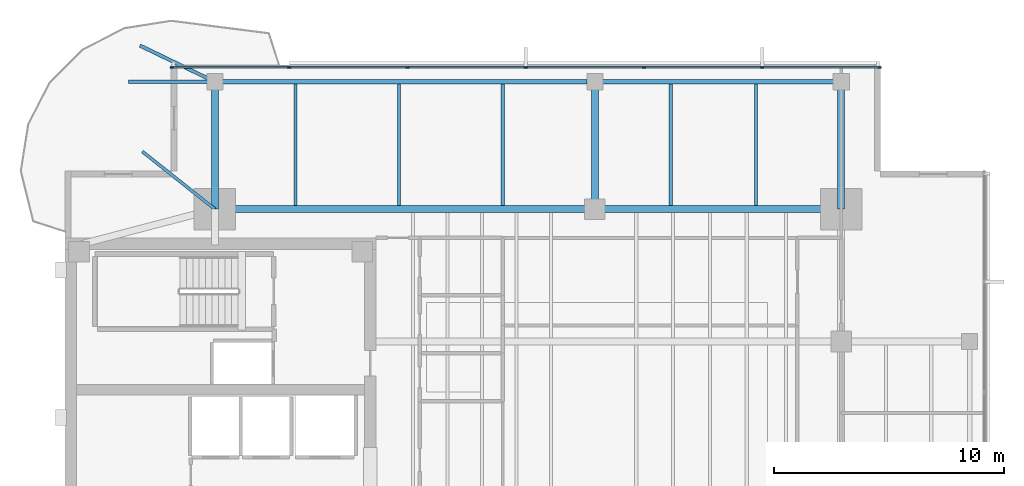
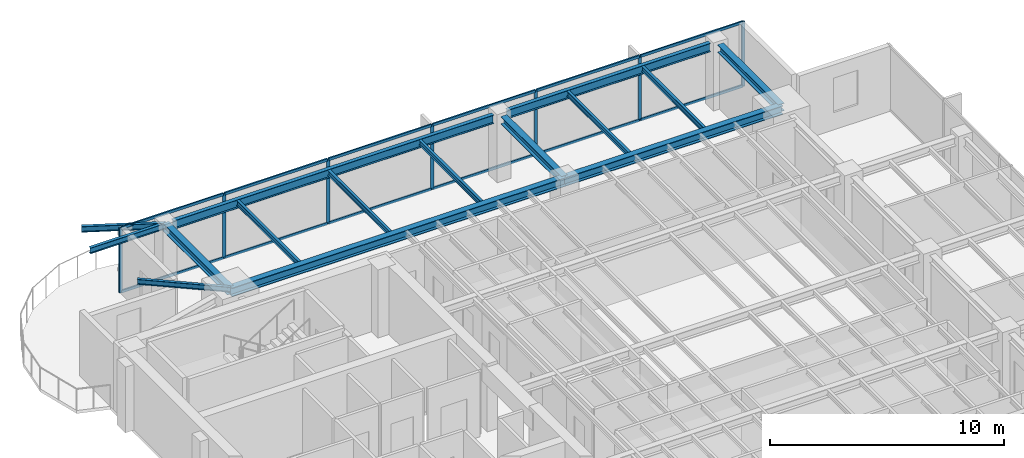
# One storey, part 5 of 14: 19 members, 15 beams, 1 element without a shape of its own.
"""IFC4 building model written with IfcOpenShell, lengths in metres."""

from ifc_helpers import new_model, si_unit, direction, frame, origin, origin_2d, place, context, subcontext, project, spatial, rectangle, i_section, extrude, material, layer, layer_set, material_profile, profile_set, type_object, element, aggregate, save


model = new_model("IFC4")

# Units and contexts
model_context = context("Model", 3, precision=1e-05, world=origin(), true_north=direction((0.0, 1.0)))
body_context = subcontext(model_context, "Body", "Model", "MODEL_VIEW")
ifc_project = project(units=[si_unit("LENGTHUNIT", "METRE"), si_unit("AREAUNIT", "SQUARE_METRE"), si_unit("VOLUMEUNIT", "CUBIC_METRE"), si_unit("PLANEANGLEUNIT", "RADIAN"), si_unit("MASSUNIT", "GRAM", prefix="KILO")], contexts=[model_context])

# Site, building, storey
site_placement = place(None, origin())
site = spatial("IfcSite", under=ifc_project, at=site_placement, CompositionType="ELEMENT")
building_placement = place(site_placement, origin())
building = spatial("IfcBuilding", under=site, at=building_placement, Name="Kinhvarn Gate Tower", CompositionType="ELEMENT")
storey_placement = place(building_placement, frame((0.0, 0.0, 277.64990234375)))
storey = spatial("IfcBuildingStorey", under=building, at=storey_placement, Name="L74", CompositionType="ELEMENT", Elevation=277.64990234375)

# Curtain wall, members
ifc_material_1 = material(Name="Anodised aluminium AW-6063", Category="aluminium")
ifc_layer = layer(ifc_material_1, 0.179931640625)
ifc_layer_set = layer_set([ifc_layer], Name="Anodised aluminium AW-6063")
curtain_wall_type = type_object("IfcCurtainWallType", Name="CW-SYS-3", PredefinedType="NOTDEFINED", material=ifc_layer_set)
curtain_wall_placement = place(storey_placement, origin())
curtain_wall = element("IfcCurtainWall", 1, at=curtain_wall_placement, inside=storey, type_object=curtain_wall_type, Name="Curtain Wall CW3 (L74)", PredefinedType="NOTDEFINED")
ifc_material_profile_1 = material_profile(ifc_material_1, rectangle(XDim=0.06494140625, YDim=0.159912109375, at=origin_2d()), Name="ALU 65x160")
ifc_profile_set_1 = profile_set([ifc_material_profile_1], Name="Anodised aluminium AW-6063")
member_type_1 = type_object("IfcMemberType", Name="CW-MUL-160", PredefinedType="MULLION", material=ifc_profile_set_1)
member_1_placement = place(storey_placement, frame((39.867431640625, 43.909912109375, 0.0), z_axis=(0.0, 0.0, 1.0), x_axis=(0.0, -1.0, 0.0)))
member_1 = element("IfcMember", 2, at=member_1_placement, type_object=member_type_1, Name="CW3 mullion 1", PredefinedType="MULLION", context=body_context, shape_type="SweptSolid", body=[
    extrude(rectangle(XDim=0.06494140625, YDim=0.159912109375, at=origin_2d()), origin(), (0.0, 0.0, 1.0), 3.39013671875),
])
member_2_placement = place(storey_placement, frame((34.7666015625, 43.909912109375, 0.0), z_axis=(0.0, 0.0, 1.0), x_axis=(0.0, -1.0, 0.0)))
member_2 = element("IfcMember", 3, at=member_2_placement, type_object=member_type_1, Name="CW3 mullion 2", PredefinedType="MULLION", context=body_context, shape_type="SweptSolid", body=[
    extrude(rectangle(XDim=0.06494140625, YDim=0.159912109375, at=origin_2d()), origin(), (0.0, 0.0, 1.0), 3.39013671875),
])
member_3_placement = place(storey_placement, frame((29.63330078125, 43.909912109375, 0.0), z_axis=(0.0, 0.0, 1.0), x_axis=(0.0, -1.0, 0.0)))
member_3 = element("IfcMember", 4, at=member_3_placement, type_object=member_type_1, Name="CW3 mullion 3", PredefinedType="MULLION", context=body_context, shape_type="SweptSolid", body=[
    extrude(rectangle(XDim=0.06494140625, YDim=0.159912109375, at=origin_2d()), origin(), (0.0, 0.0, 1.0), 3.39013671875),
])
member_4_placement = place(storey_placement, frame((24.5, 43.909912109375, 0.0), z_axis=(0.0, 0.0, 1.0), x_axis=(0.0, -1.0, 0.0)))
member_4 = element("IfcMember", 5, at=member_4_placement, type_object=member_type_1, Name="CW3 mullion 4", PredefinedType="MULLION", context=body_context, shape_type="SweptSolid", body=[
    extrude(rectangle(XDim=0.06494140625, YDim=0.159912109375, at=origin_2d()), origin(), (0.0, 0.0, 1.0), 3.39013671875),
])
member_5_placement = place(storey_placement, frame((19.36669921875, 43.909912109375, 0.0), z_axis=(0.0, 0.0, 1.0), x_axis=(0.0, -1.0, 0.0)))
member_5 = element("IfcMember", 6, at=member_5_placement, type_object=member_type_1, Name="CW3 mullion 5", PredefinedType="MULLION", context=body_context, shape_type="SweptSolid", body=[
    extrude(rectangle(XDim=0.06494140625, YDim=0.159912109375, at=origin_2d()), origin(), (0.0, 0.0, 1.0), 3.39013671875),
])
member_6_placement = place(storey_placement, frame((14.2333984375, 43.909912109375, 0.0), z_axis=(0.0, 0.0, 1.0), x_axis=(0.0, -1.0, 0.0)))
member_6 = element("IfcMember", 7, at=member_6_placement, type_object=member_type_1, Name="CW3 mullion 6", PredefinedType="MULLION", context=body_context, shape_type="SweptSolid", body=[
    extrude(rectangle(XDim=0.06494140625, YDim=0.159912109375, at=origin_2d()), origin(), (0.0, 0.0, 1.0), 3.39013671875),
])
member_7_placement = place(storey_placement, frame((9.132568359375, 43.909912109375, 0.0), z_axis=(0.0, 0.0, 1.0), x_axis=(0.0, -1.0, 0.0)))
member_7 = element("IfcMember", 8, at=member_7_placement, type_object=member_type_1, Name="CW3 mullion 7", PredefinedType="MULLION", context=body_context, shape_type="SweptSolid", body=[
    extrude(rectangle(XDim=0.06494140625, YDim=0.159912109375, at=origin_2d()), origin(), (0.0, 0.0, 1.0), 3.39013671875),
])
ifc_material_profile_2 = material_profile(ifc_material_1, rectangle(XDim=0.070068359375, YDim=0.139892578125, at=origin_2d()), Name="ALU 70x140")
ifc_profile_set_2 = profile_set([ifc_material_profile_2], Name="Anodised aluminium AW-6063")
member_type_2 = type_object("IfcMemberType", Name="CW-TRN-140", PredefinedType="USERDEFINED", material=ifc_profile_set_2)
member_8_placement = place(storey_placement, frame((39.8349609375, 43.909912109375, 0.03515625), z_axis=(-1.0, 0.0, 0.0), x_axis=(0.0, -1.0, 0.0)))
member_8 = element("IfcMember", 9, at=member_8_placement, type_object=member_type_2, Name="CW3 transom 1.1", ObjectType="TRANSOM", PredefinedType="USERDEFINED", context=body_context, shape_type="SweptSolid", body=[
    extrude(rectangle(XDim=0.070068359375, YDim=0.139892578125, at=origin_2d()), origin(), (0.0, 0.0, 1.0), 5.035888671875),
])
member_9_placement = place(storey_placement, frame((39.8349609375, 43.909912109375, 3.35498046875), z_axis=(-1.0, 0.0, 0.0), x_axis=(0.0, -1.0, 0.0)))
member_9 = element("IfcMember", 10, at=member_9_placement, type_object=member_type_2, Name="CW3 transom 1.2", ObjectType="TRANSOM", PredefinedType="USERDEFINED", context=body_context, shape_type="SweptSolid", body=[
    extrude(rectangle(XDim=0.070068359375, YDim=0.139892578125, at=origin_2d()), origin(), (0.0, 0.0, 1.0), 5.035888671875),
])
member_10_placement = place(storey_placement, frame((34.734130859375, 43.909912109375, 0.03515625), z_axis=(-1.0, 0.0, 0.0), x_axis=(0.0, -1.0, 0.0)))
member_10 = element("IfcMember", 11, at=member_10_placement, type_object=member_type_2, Name="CW3 transom 2.1", ObjectType="TRANSOM", PredefinedType="USERDEFINED", context=body_context, shape_type="SweptSolid", body=[
    extrude(rectangle(XDim=0.070068359375, YDim=0.139892578125, at=origin_2d()), origin(), (0.0, 0.0, 1.0), 5.068359375),
])
member_11_placement = place(storey_placement, frame((34.734130859375, 43.909912109375, 3.35498046875), z_axis=(-1.0, 0.0, 0.0), x_axis=(0.0, -1.0, 0.0)))
member_11 = element("IfcMember", 12, at=member_11_placement, type_object=member_type_2, Name="CW3 transom 2.2", ObjectType="TRANSOM", PredefinedType="USERDEFINED", context=body_context, shape_type="SweptSolid", body=[
    extrude(rectangle(XDim=0.070068359375, YDim=0.139892578125, at=origin_2d()), origin(), (0.0, 0.0, 1.0), 5.068359375),
])
member_12_placement = place(storey_placement, frame((29.600830078125, 43.909912109375, 0.03515625), z_axis=(-1.0, 0.0, 0.0), x_axis=(0.0, -1.0, 0.0)))
member_12 = element("IfcMember", 13, at=member_12_placement, type_object=member_type_2, Name="CW3 transom 3.1", ObjectType="TRANSOM", PredefinedType="USERDEFINED", context=body_context, shape_type="SweptSolid", body=[
    extrude(rectangle(XDim=0.070068359375, YDim=0.139892578125, at=origin_2d()), origin(), (0.0, 0.0, 1.0), 5.068359375),
])
member_13_placement = place(storey_placement, frame((29.600830078125, 43.909912109375, 3.35498046875), z_axis=(-1.0, 0.0, 0.0), x_axis=(0.0, -1.0, 0.0)))
member_13 = element("IfcMember", 14, at=member_13_placement, type_object=member_type_2, Name="CW3 transom 3.2", ObjectType="TRANSOM", PredefinedType="USERDEFINED", context=body_context, shape_type="SweptSolid", body=[
    extrude(rectangle(XDim=0.070068359375, YDim=0.139892578125, at=origin_2d()), origin(), (0.0, 0.0, 1.0), 5.068359375),
])
member_14_placement = place(storey_placement, frame((24.467529296875, 43.909912109375, 0.03515625), z_axis=(-1.0, 0.0, 0.0), x_axis=(0.0, -1.0, 0.0)))
member_14 = element("IfcMember", 15, at=member_14_placement, type_object=member_type_2, Name="CW3 transom 4.1", ObjectType="TRANSOM", PredefinedType="USERDEFINED", context=body_context, shape_type="SweptSolid", body=[
    extrude(rectangle(XDim=0.070068359375, YDim=0.139892578125, at=origin_2d()), origin(), (0.0, 0.0, 1.0), 5.068359375),
])
member_15_placement = place(storey_placement, frame((24.467529296875, 43.909912109375, 3.35498046875), z_axis=(-1.0, 0.0, 0.0), x_axis=(0.0, -1.0, 0.0)))
member_15 = element("IfcMember", 16, at=member_15_placement, type_object=member_type_2, Name="CW3 transom 4.2", ObjectType="TRANSOM", PredefinedType="USERDEFINED", context=body_context, shape_type="SweptSolid", body=[
    extrude(rectangle(XDim=0.070068359375, YDim=0.139892578125, at=origin_2d()), origin(), (0.0, 0.0, 1.0), 5.068359375),
])
member_16_placement = place(storey_placement, frame((19.334228515625, 43.909912109375, 0.03515625), z_axis=(-1.0, 0.0, 0.0), x_axis=(0.0, -1.0, 0.0)))
member_16 = element("IfcMember", 17, at=member_16_placement, type_object=member_type_2, Name="CW3 transom 5.1", ObjectType="TRANSOM", PredefinedType="USERDEFINED", context=body_context, shape_type="SweptSolid", body=[
    extrude(rectangle(XDim=0.070068359375, YDim=0.139892578125, at=origin_2d()), origin(), (0.0, 0.0, 1.0), 5.068359375),
])
member_17_placement = place(storey_placement, frame((19.334228515625, 43.909912109375, 3.35498046875), z_axis=(-1.0, 0.0, 0.0), x_axis=(0.0, -1.0, 0.0)))
member_17 = element("IfcMember", 18, at=member_17_placement, type_object=member_type_2, Name="CW3 transom 5.2", ObjectType="TRANSOM", PredefinedType="USERDEFINED", context=body_context, shape_type="SweptSolid", body=[
    extrude(rectangle(XDim=0.070068359375, YDim=0.139892578125, at=origin_2d()), origin(), (0.0, 0.0, 1.0), 5.068359375),
])
member_18_placement = place(storey_placement, frame((14.200927734375, 43.909912109375, 0.03515625), z_axis=(-1.0, 0.0, 0.0), x_axis=(0.0, -1.0, 0.0)))
member_18 = element("IfcMember", 19, at=member_18_placement, type_object=member_type_2, Name="CW3 transom 6.1", ObjectType="TRANSOM", PredefinedType="USERDEFINED", context=body_context, shape_type="SweptSolid", body=[
    extrude(rectangle(XDim=0.070068359375, YDim=0.139892578125, at=origin_2d()), origin(), (0.0, 0.0, 1.0), 5.035888671875),
])
member_19_placement = place(storey_placement, frame((14.200927734375, 43.909912109375, 3.35498046875), z_axis=(-1.0, 0.0, 0.0), x_axis=(0.0, -1.0, 0.0)))
member_19 = element("IfcMember", 20, at=member_19_placement, type_object=member_type_2, Name="CW3 transom 6.2", ObjectType="TRANSOM", PredefinedType="USERDEFINED", context=body_context, shape_type="SweptSolid", body=[
    extrude(rectangle(XDim=0.070068359375, YDim=0.139892578125, at=origin_2d()), origin(), (0.0, 0.0, 1.0), 5.035888671875),
])
aggregate(curtain_wall, [member_1, member_2, member_3, member_4, member_5, member_6, member_7, member_8, member_9, member_10, member_11, member_12, member_13, member_14, member_15, member_16, member_17, member_18, member_19])

# Beams
ifc_material_2 = material(Name="Steel S355", Category="steel")
ifc_material_profile_3 = material_profile(ifc_material_2, i_section(OverallWidth=0.300048828125, OverallDepth=0.39990234375, WebThickness=0.013427734375, FlangeThickness=0.02392578125, at=origin_2d()), Name="HEB 400")
ifc_profile_set_3 = profile_set([ifc_material_profile_3], Name="Steel S355")
beam_type_1 = type_object("IfcBeamType", Name="STL-HEB400", PredefinedType="BEAM", material=ifc_profile_set_3)
beam_1_placement = place(storey_placement, frame((11.0, 37.75, 3.190185546875), z_axis=(0.0, 1.0, 0.0), x_axis=(-1.0, 0.0, 0.0)))
element("IfcBeam", 21, at=beam_1_placement, inside=storey, type_object=beam_type_1, Name="Floor Beam PG-12 (L74 MCW-N)", PredefinedType="BEAM", context=body_context, shape_type="SweptSolid", body=[
    extrude(i_section(OverallWidth=0.300048828125, OverallDepth=0.39990234375, WebThickness=0.013427734375, FlangeThickness=0.02392578125, at=origin_2d()), origin(), (0.0, 0.0, 1.0), 5.530029296875),
])
for number, where, z_axis, x_axis, name in (
    (22, (27.5, 37.75, 3.190185546875), (0.0, 1.0, 0.0), (-1.0, 0.0, 0.0), "Floor Beam PG-12 (L74 SP27-N-TIE)"),
    (23, (38.199951171875, 37.75, 3.190185546875), (0.0, 1.0, 0.0), (-1.0, 0.0, 0.0), "Floor Beam PG-12 (L74 MCE-N)"),
):
    element("IfcBeam", number, at=place(storey_placement, frame(where, z_axis=z_axis, x_axis=x_axis)), inside=storey, type_object=beam_type_1, Name=name, PredefinedType="BEAM", context=body_context, shape_type="SweptSolid", body=[
        extrude(i_section(OverallWidth=0.300048828125, OverallDepth=0.39990234375, WebThickness=0.013427734375, FlangeThickness=0.02392578125, at=origin_2d()), origin(), (0.0, 0.0, 1.0), 5.195068359375),
    ])
ifc_material_profile_4 = material_profile(ifc_material_2, i_section(OverallWidth=0.300048828125, OverallDepth=0.449951171875, WebThickness=0.013916015625, FlangeThickness=0.02587890625, at=origin_2d()), Name="HEB 450")
ifc_profile_set_4 = profile_set([ifc_material_profile_4], Name="Steel S355")
beam_type_2 = type_object("IfcBeamType", Name="STL-HEB450", PredefinedType="BEAM", material=ifc_profile_set_4)
beam_2_placement = place(storey_placement, frame((11.0, 37.75, 3.1650390625), z_axis=(1.0, 0.0, 0.0), x_axis=(0.0, 1.0, 0.0)))
element("IfcBeam", 24, at=beam_2_placement, inside=storey, type_object=beam_type_2, Name="Floor Beam PG-13 (L74 MG-N1)", PredefinedType="BEAM", context=body_context, shape_type="SweptSolid", body=[
    extrude(i_section(OverallWidth=0.300048828125, OverallDepth=0.449951171875, WebThickness=0.013916015625, FlangeThickness=0.02587890625, at=origin_2d()), origin(), (0.0, 0.0, 1.0), 16.5),
])
beam_3_placement = place(storey_placement, frame((27.5, 37.75, 3.1650390625), z_axis=(1.0, 0.0, 0.0), x_axis=(0.0, 1.0, 0.0)))
element("IfcBeam", 25, at=beam_3_placement, inside=storey, type_object=beam_type_2, Name="Floor Beam PG-13 (L74 MG-N2)", PredefinedType="BEAM", context=body_context, shape_type="SweptSolid", body=[
    extrude(i_section(OverallWidth=0.300048828125, OverallDepth=0.449951171875, WebThickness=0.013916015625, FlangeThickness=0.02587890625, at=origin_2d()), origin(), (0.0, 0.0, 1.0), 10.699951171875),
])
ifc_material_profile_5 = material_profile(ifc_material_2, i_section(OverallWidth=0.135009765625, OverallDepth=0.27001953125, WebThickness=0.006591796875, FlangeThickness=0.01025390625, at=origin_2d()), Name="IPE 270")
ifc_profile_set_5 = profile_set([ifc_material_profile_5], Name="Steel S355")
beam_type_3 = type_object("IfcBeamType", Name="STL-IPE270", PredefinedType="JOIST", material=ifc_profile_set_5)
for number, where, z_axis, x_axis, name in (
    (26, (14.5, 37.89990234375, 3.255126953125), (0.0, 1.0, 0.0), (-1.0, 0.0, 0.0), "Floor Joist SB-01 (L74 JN-X145)"),
    (27, (19.0, 37.89990234375, 3.255126953125), (0.0, 1.0, 0.0), (-1.0, 0.0, 0.0), "Floor Joist SB-01 (L74 JN-X190)"),
    (28, (23.5, 37.89990234375, 3.255126953125), (0.0, 1.0, 0.0), (-1.0, 0.0, 0.0), "Floor Joist SB-01 (L74 JN-X235)"),
    (29, (30.800048828125, 37.89990234375, 3.255126953125), (0.0, 1.0, 0.0), (-1.0, 0.0, 0.0), "Floor Joist SB-01 (L74 JN-X308)"),
    (30, (34.5, 37.89990234375, 3.255126953125), (0.0, 1.0, 0.0), (-1.0, 0.0, 0.0), "Floor Joist SB-01 (L74 JN-X345)"),
):
    element("IfcBeam", number, at=place(storey_placement, frame(where, z_axis=z_axis, x_axis=x_axis)), inside=storey, type_object=beam_type_3, Name=name, PredefinedType="JOIST", context=body_context, shape_type="SweptSolid", body=[
        extrude(i_section(OverallWidth=0.135009765625, OverallDepth=0.27001953125, WebThickness=0.006591796875, FlangeThickness=0.01025390625, at=origin_2d()), origin(), (0.0, 0.0, 1.0), 5.28515625),
    ])
beam_4_placement = place(storey_placement, frame((11.0, 37.75, 3.255126953125), z_axis=(-0.783279518214, 0.621669684275, 0.0), x_axis=(-0.621669684275, -0.783279518214, 0.0)))
element("IfcBeam", 31, at=beam_4_placement, inside=storey, type_object=beam_type_3, Name="Floor Joist SB-01 (L74 BAL-B3-L75)", PredefinedType="JOIST", context=body_context, shape_type="SweptSolid", body=[
    extrude(i_section(OverallWidth=0.135009765625, OverallDepth=0.27001953125, WebThickness=0.006591796875, FlangeThickness=0.01025390625, at=origin_2d()), origin(), (0.0, 0.0, 1.0), 4.021484375),
])
ifc_material_profile_6 = material_profile(ifc_material_2, i_section(OverallWidth=0.14990234375, OverallDepth=0.300048828125, WebThickness=0.007080078125, FlangeThickness=0.0107421875, at=origin_2d()), Name="IPE 300")
ifc_profile_set_6 = profile_set([ifc_material_profile_6], Name="Steel S355")
beam_type_4 = type_object("IfcBeamType", Name="STL-IPE300", PredefinedType="JOIST", material=ifc_profile_set_6)
beam_5_placement = place(storey_placement, frame((11.0, 43.280029296875, 3.239990234375), z_axis=(-1.0, 0.0, 0.0), x_axis=(0.0, -1.0, 0.0)))
element("IfcBeam", 32, at=beam_5_placement, inside=storey, type_object=beam_type_4, Name="Floor Joist SB-02 (L74 BAL-B1-L75)", PredefinedType="JOIST", context=body_context, shape_type="SweptSolid", body=[
    extrude(i_section(OverallWidth=0.14990234375, OverallDepth=0.300048828125, WebThickness=0.007080078125, FlangeThickness=0.0107421875, at=origin_2d()), origin(), (0.0, 0.0, 1.0), 3.75),
])
beam_6_placement = place(storey_placement, frame((11.0, 43.280029296875, 3.239990234375), z_axis=(-0.900431975558, 0.434996847567, 0.0), x_axis=(-0.434996847567, -0.900431975558, 0.0)))
element("IfcBeam", 33, at=beam_6_placement, inside=storey, type_object=beam_type_4, Name="Floor Joist SB-02 (L74 BAL-B2-L75)", PredefinedType="JOIST", context=body_context, shape_type="SweptSolid", body=[
    extrude(i_section(OverallWidth=0.14990234375, OverallDepth=0.300048828125, WebThickness=0.007080078125, FlangeThickness=0.0107421875, at=origin_2d()), origin(), (0.0, 0.0, 1.0), 3.609375),
])
ifc_material_profile_7 = material_profile(ifc_material_2, i_section(OverallWidth=0.18994140625, OverallDepth=0.449951171875, WebThickness=0.009521484375, FlangeThickness=0.0146484375, at=origin_2d()), Name="IPE 450")
ifc_profile_set_7 = profile_set([ifc_material_profile_7], Name="Steel S355")
beam_type_5 = type_object("IfcBeamType", Name="STL-IPE450", PredefinedType="JOIST", material=ifc_profile_set_7)
beam_7_placement = place(storey_placement, frame((11.3349609375, 43.280029296875, 3.1650390625), z_axis=(1.0, 0.0, 0.0), x_axis=(0.0, 1.0, 0.0)))
element("IfcBeam", 34, at=beam_7_placement, inside=storey, type_object=beam_type_5, Name="Floor Joist SB-06 (L74 SP-N1)", PredefinedType="JOIST", context=body_context, shape_type="SweptSolid", body=[
    extrude(i_section(OverallWidth=0.18994140625, OverallDepth=0.449951171875, WebThickness=0.009521484375, FlangeThickness=0.0146484375, at=origin_2d()), origin(), (0.0, 0.0, 1.0), 15.830078125),
])
beam_8_placement = place(storey_placement, frame((27.8349609375, 43.280029296875, 3.1650390625), z_axis=(1.0, 0.0, 0.0), x_axis=(0.0, 1.0, 0.0)))
element("IfcBeam", 35, at=beam_8_placement, inside=storey, type_object=beam_type_5, Name="Floor Joist SB-06 (L74 SP-N2)", PredefinedType="JOIST", context=body_context, shape_type="SweptSolid", body=[
    extrude(i_section(OverallWidth=0.18994140625, OverallDepth=0.449951171875, WebThickness=0.009521484375, FlangeThickness=0.0146484375, at=origin_2d()), origin(), (0.0, 0.0, 1.0), 10.030029296875),
])

save(model, "model.ifc")
